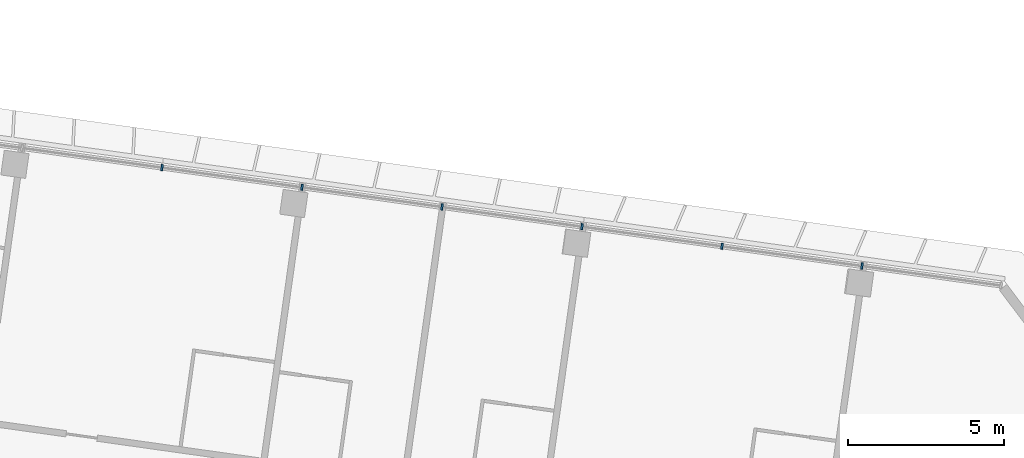
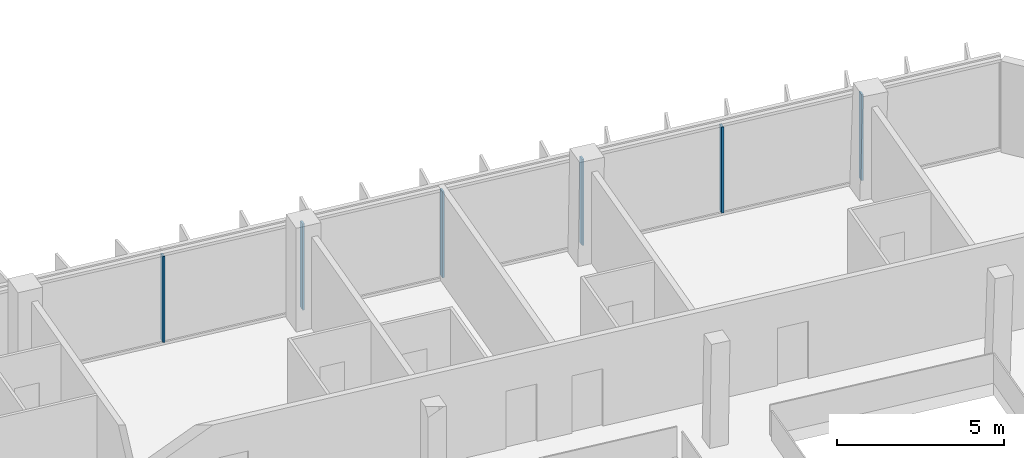
# One storey, part 5 of 26: 6 members, 1 element without a shape of its own.
"""IFC4 building model written with IfcOpenShell, lengths in metres."""

from ifc_helpers import new_model, si_unit, direction, frame, origin, origin_2d, place, context, subcontext, project, spatial, rectangle, extrude, material, material_profile, profile_set, type_object, element, aggregate, save


model = new_model("IFC4")

# Units and contexts
model_context = context("Model", 3, precision=1e-05, world=origin(), true_north=direction((0.0, 1.0)))
body_context = subcontext(model_context, "Body", "Model", "MODEL_VIEW")
ifc_project = project(units=[si_unit("LENGTHUNIT", "METRE"), si_unit("AREAUNIT", "SQUARE_METRE"), si_unit("VOLUMEUNIT", "CUBIC_METRE"), si_unit("PLANEANGLEUNIT", "RADIAN"), si_unit("MASSUNIT", "GRAM", prefix="KILO")], contexts=[model_context])

# Site, building, storey
site_placement = place(None, origin())
site = spatial("IfcSite", under=ifc_project, at=site_placement, CompositionType="ELEMENT")
building_placement = place(site_placement, origin())
building = spatial("IfcBuilding", under=site, at=building_placement, Name="Mirante Cascada Hotel Towers", CompositionType="ELEMENT")
storey_placement = place(building_placement, frame((0.0, 0.0, 168.8)))
storey = spatial("IfcBuildingStorey", under=building, at=storey_placement, Name="L39", CompositionType="ELEMENT", Elevation=168.8)

# Curtain wall, members
ifc_material_1 = material(Name="Aluminium mullion and transom frame with clear laminated glass", Category="aluminium")
curtain_wall_type = type_object("IfcCurtainWallType", Name="Ribbon curtain wall ECW1", PredefinedType="NOTDEFINED", material=ifc_material_1)
curtain_wall_placement = place(storey_placement, origin())
curtain_wall = element("IfcCurtainWall", 1, at=curtain_wall_placement, inside=storey, type_object=curtain_wall_type, Name="Front ribbon wall T1 L39", PredefinedType="NOTDEFINED")
ifc_material_2 = material(Name="Anodised aluminium extrusion", Category="aluminium")
ifc_material_profile = material_profile(ifc_material_2, rectangle(XDim=0.2, YDim=0.065, at=origin_2d()), Name="ECW1 MULLION 65x200")
ifc_profile_set = profile_set([ifc_material_profile], Name="Anodised aluminium extrusion")
member_type = type_object("IfcMemberType", Name="ECW1 mullion 65x200", PredefinedType="MULLION", material=ifc_profile_set)
member_1_placement = place(storey_placement, frame((-58.4028, 21.027, 0.1), z_axis=(0.0, 0.0, 1.0), x_axis=(0.1391731, 0.9902681, 0.0)))
member_1 = element("IfcMember", 2, at=member_1_placement, type_object=member_type, Name="ECW1 mullion 7", PredefinedType="MULLION", context=body_context, shape_type="SweptSolid", body=[
    extrude(rectangle(XDim=0.2, YDim=0.065, at=origin_2d()), origin(), (0.0, 0.0, 1.0), 3.15),
])
member_2_placement = place(storey_placement, frame((-53.929, 20.3983, 0.1), z_axis=(0.0, 0.0, 1.0), x_axis=(0.1391731, 0.9902681, 0.0)))
member_2 = element("IfcMember", 3, at=member_2_placement, type_object=member_type, Name="ECW1 mullion 8", PredefinedType="MULLION", context=body_context, shape_type="SweptSolid", body=[
    extrude(rectangle(XDim=0.2, YDim=0.065, at=origin_2d()), origin(), (0.0, 0.0, 1.0), 3.15),
])
member_3_placement = place(storey_placement, frame((-49.4552, 19.7695, 0.1), z_axis=(0.0, 0.0, 1.0), x_axis=(0.1391731, 0.9902681, 0.0)))
member_3 = element("IfcMember", 4, at=member_3_placement, type_object=member_type, Name="ECW1 mullion 9", PredefinedType="MULLION", context=body_context, shape_type="SweptSolid", body=[
    extrude(rectangle(XDim=0.2, YDim=0.065, at=origin_2d()), origin(), (0.0, 0.0, 1.0), 3.15),
])
member_4_placement = place(storey_placement, frame((-44.9814, 19.1407, 0.1), z_axis=(0.0, 0.0, 1.0), x_axis=(0.1391731, 0.9902681, 0.0)))
member_4 = element("IfcMember", 5, at=member_4_placement, type_object=member_type, Name="ECW1 mullion 10", PredefinedType="MULLION", context=body_context, shape_type="SweptSolid", body=[
    extrude(rectangle(XDim=0.2, YDim=0.065, at=origin_2d()), origin(), (0.0, 0.0, 1.0), 3.15),
])
member_5_placement = place(storey_placement, frame((-40.5076, 18.512, 0.1), z_axis=(0.0, 0.0, 1.0), x_axis=(0.1391731, 0.9902681, 0.0)))
member_5 = element("IfcMember", 6, at=member_5_placement, type_object=member_type, Name="ECW1 mullion 11", PredefinedType="MULLION", context=body_context, shape_type="SweptSolid", body=[
    extrude(rectangle(XDim=0.2, YDim=0.065, at=origin_2d()), origin(), (0.0, 0.0, 1.0), 3.15),
])
member_6_placement = place(storey_placement, frame((-36.0338, 17.8832, 0.1), z_axis=(0.0, 0.0, 1.0), x_axis=(0.1391731, 0.9902681, 0.0)))
member_6 = element("IfcMember", 7, at=member_6_placement, type_object=member_type, Name="ECW1 mullion 12", PredefinedType="MULLION", context=body_context, shape_type="SweptSolid", body=[
    extrude(rectangle(XDim=0.2, YDim=0.065, at=origin_2d()), origin(), (0.0, 0.0, 1.0), 3.15),
])
aggregate(curtain_wall, [member_1, member_2, member_3, member_4, member_5, member_6])

save(model, "model.ifc")
